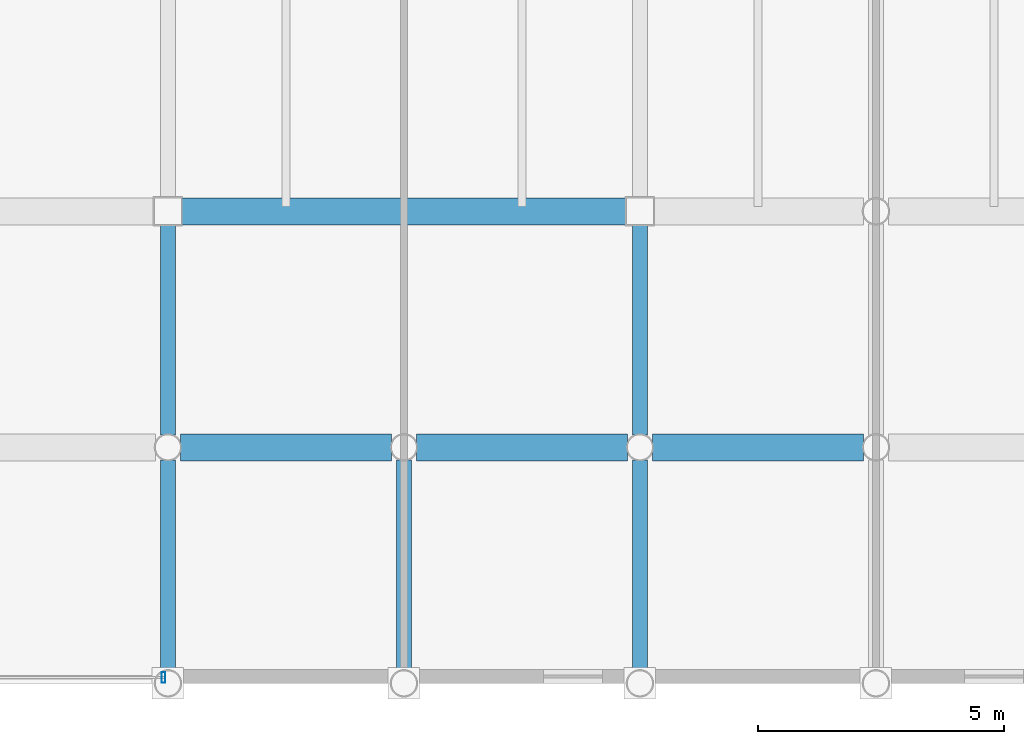
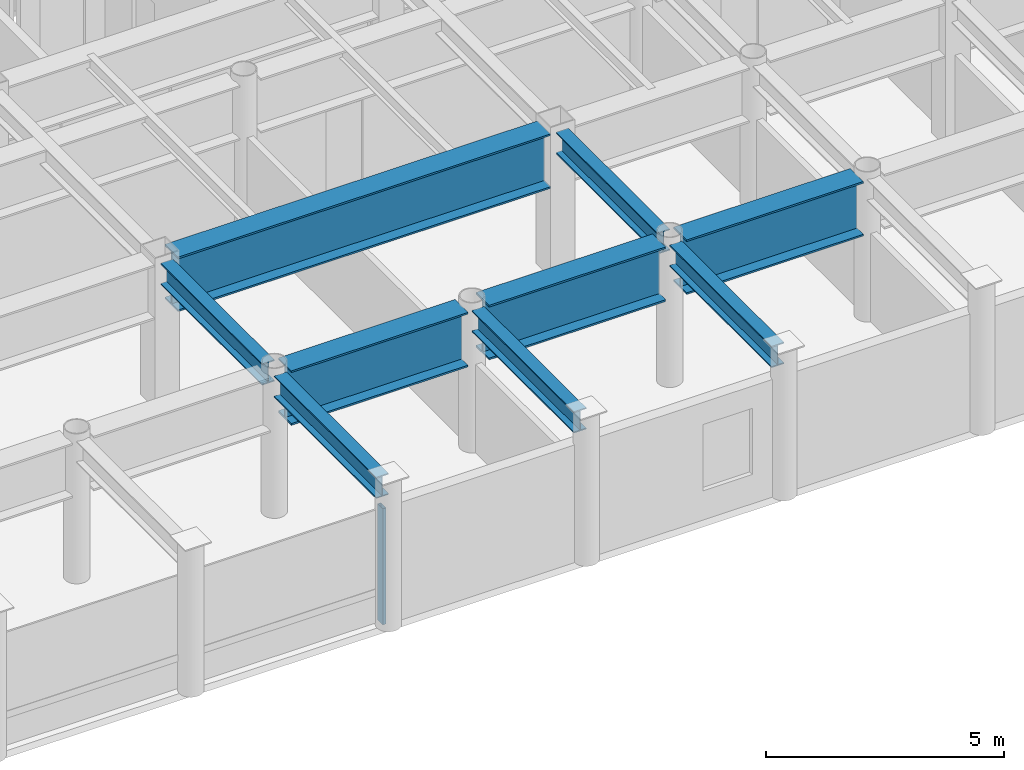
# One storey, part 9 of 24: 9 beams, 1 member, 1 element without a shape of its own.
"""IFC4 building model written with IfcOpenShell, lengths in metres."""

from ifc_helpers import new_model, si_unit, direction, frame, origin, origin_2d, place, context, subcontext, project, spatial, hollow_rectangle, i_section, extrude, material, layer, layer_set, material_profile, profile_set, type_object, element, aggregate, save


model = new_model("IFC4")

# Units and contexts
model_context = context("Model", 3, precision=1e-05, world=origin(), true_north=direction((0.0, 1.0)))
body_context = subcontext(model_context, "Body", "Model", "MODEL_VIEW")
ifc_project = project(units=[si_unit("LENGTHUNIT", "METRE"), si_unit("AREAUNIT", "SQUARE_METRE"), si_unit("VOLUMEUNIT", "CUBIC_METRE"), si_unit("PLANEANGLEUNIT", "RADIAN"), si_unit("MASSUNIT", "GRAM", prefix="KILO")], contexts=[model_context])

# Site, building, storey
site_placement = place(None, origin())
site = spatial("IfcSite", under=ifc_project, at=site_placement, CompositionType="ELEMENT")
building_placement = place(site_placement, origin())
building = spatial("IfcBuilding", under=site, at=building_placement, Name="Kallvorn Hotel Tower", CompositionType="ELEMENT")
storey_placement = place(building_placement, frame((0.0, 0.0, 218.449951171875)))
storey = spatial("IfcBuildingStorey", under=building, at=storey_placement, Name="L54", CompositionType="ELEMENT", Elevation=218.449951171875)

# Beams
ifc_material_1 = material(Name="Structural steel S355JR", Category="steel")
ifc_material_profile_1 = material_profile(ifc_material_1, i_section(OverallWidth=0.300048828125, OverallDepth=0.550048828125, WebThickness=0.014892578125, FlangeThickness=0.029052734375, at=origin_2d()), Name="HE 550 B")
ifc_profile_set_1 = profile_set([ifc_material_profile_1], Name="Structural steel S355JR")
beam_type_1 = type_object("IfcBeamType", Name="BM_HE550B", PredefinedType="SPANDREL", material=ifc_profile_set_1)
beam_1_placement = place(storey_placement, frame((4.800048828125, -23.74560546875, 3.39501953125), z_axis=(0.0, 1.0, 0.0), x_axis=(-1.0, 0.0, 0.0)))
element("IfcBeam", 1, at=beam_1_placement, inside=storey, type_object=beam_type_1, Name="L55 Primary Y-Girder 126", PredefinedType="SPANDREL", context=body_context, shape_type="SweptSolid", body=[
    extrude(i_section(OverallWidth=0.300048828125, OverallDepth=0.550048828125, WebThickness=0.014892578125, FlangeThickness=0.029052734375, at=origin_2d()), origin(), (0.0, 0.0, 1.0), 4.291015625),
])
beam_2_placement = place(storey_placement, frame((4.800048828125, -18.945556640625, 3.39501953125), z_axis=(0.0, 1.0, 0.0), x_axis=(-1.0, 0.0, 0.0)))
element("IfcBeam", 2, at=beam_2_placement, inside=storey, type_object=beam_type_1, Name="L55 Primary Y-Girder 127", PredefinedType="SPANDREL", context=body_context, shape_type="SweptSolid", body=[
    extrude(i_section(OverallWidth=0.300048828125, OverallDepth=0.550048828125, WebThickness=0.014892578125, FlangeThickness=0.029052734375, at=origin_2d()), origin(), (0.0, 0.0, 1.0), 4.2705078125),
])
for number, where, z_axis, x_axis, name in (
    (3, (9.60009765625, -23.74560546875, 3.39501953125), (0.0, 1.0, 0.0), (-1.0, 0.0, 0.0), "L55 Primary Y-Girder 131"),
    (4, (14.39990234375, -23.74560546875, 3.39501953125), (0.0, 1.0, 0.0), (-1.0, 0.0, 0.0), "L55 Primary Y-Girder 134"),
):
    element("IfcBeam", number, at=place(storey_placement, frame(where, z_axis=z_axis, x_axis=x_axis)), inside=storey, type_object=beam_type_1, Name=name, PredefinedType="SPANDREL", context=body_context, shape_type="SweptSolid", body=[
        extrude(i_section(OverallWidth=0.300048828125, OverallDepth=0.550048828125, WebThickness=0.014892578125, FlangeThickness=0.029052734375, at=origin_2d()), origin(), (0.0, 0.0, 1.0), 4.291015625),
    ])
beam_3_placement = place(storey_placement, frame((14.39990234375, -18.945556640625, 3.39501953125), z_axis=(0.0, 1.0, 0.0), x_axis=(-1.0, 0.0, 0.0)))
element("IfcBeam", 5, at=beam_3_placement, inside=storey, type_object=beam_type_1, Name="L55 Primary Y-Girder 135", PredefinedType="SPANDREL", context=body_context, shape_type="SweptSolid", body=[
    extrude(i_section(OverallWidth=0.300048828125, OverallDepth=0.550048828125, WebThickness=0.014892578125, FlangeThickness=0.029052734375, at=origin_2d()), origin(), (0.0, 0.0, 1.0), 4.2705078125),
])
ifc_material_2 = material(Name="Structural steel S355JR", Category="steel")
ifc_material_profile_2 = material_profile(ifc_material_2, i_section(OverallWidth=0.550048828125, OverallDepth=1.39990234375, WebThickness=0.02490234375, FlangeThickness=0.044921875, at=origin_2d()), Name="PG 1400x550x25x45")
ifc_profile_set_2 = profile_set([ifc_material_profile_2], Name="Structural steel S355JR")
beam_type_2 = type_object("IfcBeamType", Name="BM_PG_1400", PredefinedType="BEAM", material=ifc_profile_set_2)
for number, where, z_axis, x_axis, name in (
    (6, (5.054443359375, -19.199951171875, 2.969970703125), (1.0, 0.0, 0.0), (0.0, 1.0, 0.0), "L55 Primary X-Girder 21"),
    (7, (9.8544921875, -19.199951171875, 2.969970703125), (1.0, 0.0, 0.0), (0.0, 1.0, 0.0), "L55 Primary X-Girder 22"),
    (8, (14.654541015625, -19.199951171875, 2.969970703125), (1.0, 0.0, 0.0), (0.0, 1.0, 0.0), "L55 Primary X-Girder 23"),
):
    element("IfcBeam", number, at=place(storey_placement, frame(where, z_axis=z_axis, x_axis=x_axis)), inside=storey, type_object=beam_type_2, Name=name, PredefinedType="BEAM", context=body_context, shape_type="SweptSolid", body=[
        extrude(i_section(OverallWidth=0.550048828125, OverallDepth=1.39990234375, WebThickness=0.02490234375, FlangeThickness=0.044921875, at=origin_2d()), origin(), (0.0, 0.0, 1.0), 4.291015625),
    ])
beam_4_placement = place(storey_placement, frame((5.074951171875, -14.39990234375, 2.969970703125), z_axis=(1.0, 0.0, 0.0), x_axis=(0.0, 1.0, 0.0)))
element("IfcBeam", 9, at=beam_4_placement, inside=storey, type_object=beam_type_2, Name="L55 Primary X-Girder 32", PredefinedType="BEAM", context=body_context, shape_type="SweptSolid", body=[
    extrude(i_section(OverallWidth=0.550048828125, OverallDepth=1.39990234375, WebThickness=0.02490234375, FlangeThickness=0.044921875, at=origin_2d()), origin(), (0.0, 0.0, 1.0), 9.050048828125),
])

# Curtain wall, member
ifc_material_3 = material(Name="Thermally broken black-anodised aluminium AA 6063-T6", Category="aluminium")
ifc_layer = layer(ifc_material_3, 0.22998046875)
ifc_layer_set = layer_set([ifc_layer], Name="CW_SYS_5_HOTEL_HIGH")
curtain_wall_type = type_object("IfcCurtainWallType", Name="CW_SYS_5_HOTEL_HIGH", PredefinedType="USERDEFINED", material=ifc_layer_set)
curtain_wall_placement = place(storey_placement, origin())
curtain_wall = element("IfcCurtainWall", 10, at=curtain_wall_placement, inside=storey, type_object=curtain_wall_type, Name="L54 Dark-Glass Curtain Wall CW-L54-SC", ObjectType="UNITISED CURTAIN WALL", PredefinedType="USERDEFINED")
ifc_material_4 = material(Name="Thermally broken black-anodised aluminium AA 6063-T6", Category="aluminium")
ifc_material_profile_3 = material_profile(ifc_material_4, hollow_rectangle(XDim=0.080078125, YDim=0.219970703125, WallThickness=0.0048828125, at=origin_2d()), Name="MUL 220x80")
ifc_profile_set_3 = profile_set([ifc_material_profile_3], Name="Thermally broken black-anodised aluminium AA 6063-T6")
member_type = type_object("IfcMemberType", Name="CW_MULLION_220x80", PredefinedType="MULLION", material=ifc_profile_set_3)
member_placement = place(storey_placement, frame((4.7099609375, -23.8798828125, 0.02001953125), z_axis=(0.0, 0.0, 1.0), x_axis=(1.0, 0.0, 0.0)))
member = element("IfcMember", 11, at=member_placement, type_object=member_type, Name="CW-L54-SC Mullion 02", PredefinedType="MULLION", context=body_context, shape_type="SweptSolid", body=[
    extrude(hollow_rectangle(XDim=0.080078125, YDim=0.219970703125, WallThickness=0.0048828125, at=origin_2d()), origin(), (0.0, 0.0, 1.0), 2.97998046875),
])
aggregate(curtain_wall, [member])

save(model, "model.ifc")
